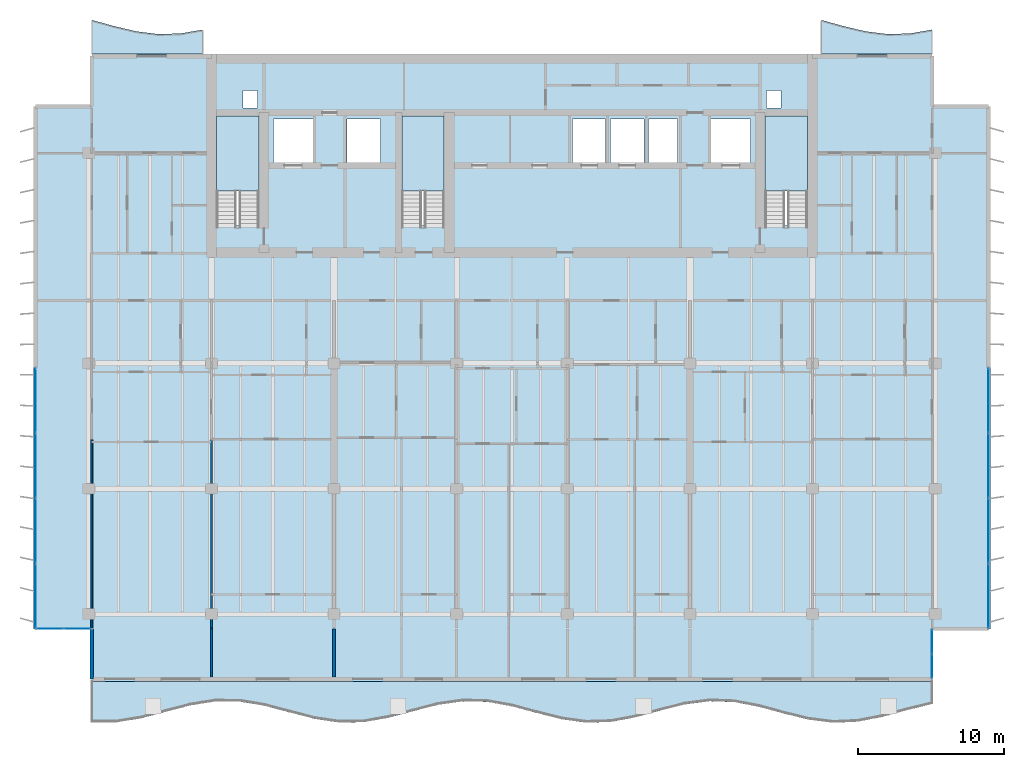
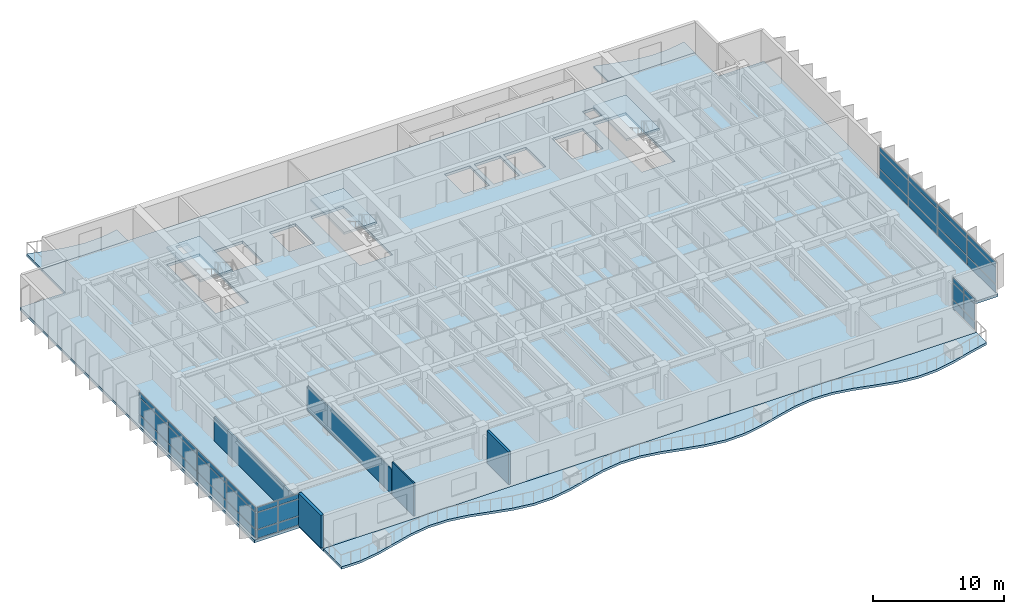
# One storey, part 7 of 19: 36 plates, 7 slabs, 5 walls, 7 elements without a shape of their own.
"""IFC4 building model written with IfcOpenShell, lengths in metres."""

from ifc_helpers import new_model, si_unit, direction, frame, frame_2d, origin, origin_2d, place, context, subcontext, project, spatial, polyline, rectangle, outline, extrude, material, layer, layer_set, type_object, element, aggregate, save


model = new_model("IFC4")

# Units and contexts
model_context = context("Model", 3, precision=1e-05, world=origin(), true_north=direction((0.0, 1.0)))
body_context = subcontext(model_context, "Body", "Model", "MODEL_VIEW")
ifc_project = project(units=[si_unit("LENGTHUNIT", "METRE"), si_unit("AREAUNIT", "SQUARE_METRE"), si_unit("VOLUMEUNIT", "CUBIC_METRE"), si_unit("PLANEANGLEUNIT", "RADIAN"), si_unit("MASSUNIT", "GRAM", prefix="KILO")], contexts=[model_context])

# Site, building, storey
site_placement = place(None, origin())
site = spatial("IfcSite", under=ifc_project, at=site_placement, CompositionType="ELEMENT")
building_placement = place(site_placement, origin())
building = spatial("IfcBuilding", under=site, at=building_placement, Name="Caelmar Bay Residences", CompositionType="ELEMENT")
storey_placement = place(building_placement, frame((0.0, 0.0, 163.800048828125)))
storey = spatial("IfcBuildingStorey", under=building, at=storey_placement, Name="L45", CompositionType="ELEMENT", Elevation=163.800048828125)

# Curtain wall, plates
ifc_material_1 = material(Name="Anodised bronze aluminium 6063-T6 and laminated glass", Category="aluminium")
ifc_layer_1 = layer(ifc_material_1, 0.179931640625)
ifc_layer_set_1 = layer_set([ifc_layer_1], Name="Anodised bronze aluminium 6063-T6 and laminated glass")
curtain_wall_type_1 = type_object("IfcCurtainWallType", Name="CW6-NTC", PredefinedType="NOTDEFINED", material=ifc_layer_set_1)
curtain_wall_1_placement = place(storey_placement, origin())
curtain_wall_1 = element("IfcCurtainWall", 1, at=curtain_wall_1_placement, inside=storey, type_object=curtain_wall_type_1, Name="CW6 curtain wall L45", PredefinedType="NOTDEFINED")
ifc_material_2 = material(Name="Bronze-tinted laminated low-E hurricane glass 28 mm", Category="glass")
ifc_layer_2 = layer(ifc_material_2, 0.028076171875)
ifc_layer_set_2 = layer_set([ifc_layer_2], Name="Bronze-tinted laminated low-E hurricane glass 28 mm")
plate_type = type_object("IfcPlateType", Name="CWP-GLZ28", PredefinedType="CURTAIN_PANEL", material=ifc_layer_set_2)
plate_1_placement = place(storey_placement, frame((7.232421875, 11.199951171875, 0.080078125), z_axis=(0.0, 0.0, 1.0), x_axis=(1.0, 0.0, 0.0)))
plate_1 = element("IfcPlate", 2, at=plate_1_placement, type_object=plate_type, Name="CW6 panel 1.1", PredefinedType="CURTAIN_PANEL", context=body_context, shape_type="SweptSolid", body=[
    extrude(rectangle(XDim=1.804931640625, YDim=0.028076171875, at=origin_2d()), origin(), (0.0, 0.0, 1.0), 0.780029296875),
])
plate_2_placement = place(storey_placement, frame((7.232421875, 11.199951171875, 0.93994140625), z_axis=(0.0, 0.0, 1.0), x_axis=(1.0, 0.0, 0.0)))
plate_2 = element("IfcPlate", 3, at=plate_2_placement, type_object=plate_type, Name="CW6 panel 1.2", PredefinedType="CURTAIN_PANEL", context=body_context, shape_type="SweptSolid", body=[
    extrude(rectangle(XDim=1.804931640625, YDim=0.028076171875, at=origin_2d()), origin(), (0.0, 0.0, 1.0), 1.52001953125),
])
plate_3_placement = place(storey_placement, frame((7.232421875, 11.199951171875, 2.5400390625), z_axis=(0.0, 0.0, 1.0), x_axis=(1.0, 0.0, 0.0)))
plate_3 = element("IfcPlate", 4, at=plate_3_placement, type_object=plate_type, Name="CW6 panel 1.3", PredefinedType="CURTAIN_PANEL", context=body_context, shape_type="SweptSolid", body=[
    extrude(rectangle(XDim=1.804931640625, YDim=0.028076171875, at=origin_2d()), origin(), (0.0, 0.0, 1.0), 0.429931640625),
])
plate_4_placement = place(storey_placement, frame((9.117431640625, 11.199951171875, 0.080078125), z_axis=(0.0, 0.0, 1.0), x_axis=(1.0, 0.0, 0.0)))
plate_4 = element("IfcPlate", 5, at=plate_4_placement, type_object=plate_type, Name="CW6 panel 2.1", PredefinedType="CURTAIN_PANEL", context=body_context, shape_type="SweptSolid", body=[
    extrude(rectangle(XDim=1.804931640625, YDim=0.028076171875, at=origin_2d()), origin(), (0.0, 0.0, 1.0), 0.780029296875),
])
plate_5_placement = place(storey_placement, frame((9.117431640625, 11.199951171875, 0.93994140625), z_axis=(0.0, 0.0, 1.0), x_axis=(1.0, 0.0, 0.0)))
plate_5 = element("IfcPlate", 6, at=plate_5_placement, type_object=plate_type, Name="CW6 panel 2.2", PredefinedType="CURTAIN_PANEL", context=body_context, shape_type="SweptSolid", body=[
    extrude(rectangle(XDim=1.804931640625, YDim=0.028076171875, at=origin_2d()), origin(), (0.0, 0.0, 1.0), 1.52001953125),
])
plate_6_placement = place(storey_placement, frame((9.117431640625, 11.199951171875, 2.5400390625), z_axis=(0.0, 0.0, 1.0), x_axis=(1.0, 0.0, 0.0)))
plate_6 = element("IfcPlate", 7, at=plate_6_placement, type_object=plate_type, Name="CW6 panel 2.3", PredefinedType="CURTAIN_PANEL", context=body_context, shape_type="SweptSolid", body=[
    extrude(rectangle(XDim=1.804931640625, YDim=0.028076171875, at=origin_2d()), origin(), (0.0, 0.0, 1.0), 0.429931640625),
])
aggregate(curtain_wall_1, [plate_1, plate_2, plate_3, plate_4, plate_5, plate_6])

curtain_wall_2_placement = place(storey_placement, origin())
curtain_wall_2 = element("IfcCurtainWall", 8, at=curtain_wall_2_placement, inside=storey, type_object=curtain_wall_type_1, Name="CW6 curtain wall L45", PredefinedType="NOTDEFINED")
plate_7_placement = place(storey_placement, frame((67.699951171875, 8.632568359375, 0.080078125), z_axis=(0.0, 0.0, 1.0), x_axis=(0.0, 1.0, 0.0)))
plate_7 = element("IfcPlate", 9, at=plate_7_placement, type_object=plate_type, Name="CW6 panel 1.1", PredefinedType="CURTAIN_PANEL", context=body_context, shape_type="SweptSolid", body=[
    extrude(rectangle(XDim=1.60498046875, YDim=0.028076171875, at=origin_2d()), origin(), (0.0, 0.0, 1.0), 0.780029296875),
])
plate_8_placement = place(storey_placement, frame((67.699951171875, 8.632568359375, 0.93994140625), z_axis=(0.0, 0.0, 1.0), x_axis=(0.0, 1.0, 0.0)))
plate_8 = element("IfcPlate", 10, at=plate_8_placement, type_object=plate_type, Name="CW6 panel 1.2", PredefinedType="CURTAIN_PANEL", context=body_context, shape_type="SweptSolid", body=[
    extrude(rectangle(XDim=1.60498046875, YDim=0.028076171875, at=origin_2d()), origin(), (0.0, 0.0, 1.0), 1.52001953125),
])
plate_9_placement = place(storey_placement, frame((67.699951171875, 8.632568359375, 2.5400390625), z_axis=(0.0, 0.0, 1.0), x_axis=(0.0, 1.0, 0.0)))
plate_9 = element("IfcPlate", 11, at=plate_9_placement, type_object=plate_type, Name="CW6 panel 1.3", PredefinedType="CURTAIN_PANEL", context=body_context, shape_type="SweptSolid", body=[
    extrude(rectangle(XDim=1.60498046875, YDim=0.028076171875, at=origin_2d()), origin(), (0.0, 0.0, 1.0), 0.429931640625),
])
plate_10_placement = place(storey_placement, frame((67.699951171875, 10.3173828125, 0.080078125), z_axis=(0.0, 0.0, 1.0), x_axis=(0.0, 1.0, 0.0)))
plate_10 = element("IfcPlate", 12, at=plate_10_placement, type_object=plate_type, Name="CW6 panel 2.1", PredefinedType="CURTAIN_PANEL", context=body_context, shape_type="SweptSolid", body=[
    extrude(rectangle(XDim=1.60498046875, YDim=0.028076171875, at=origin_2d()), origin(), (0.0, 0.0, 1.0), 0.780029296875),
])
plate_11_placement = place(storey_placement, frame((67.699951171875, 10.3173828125, 0.93994140625), z_axis=(0.0, 0.0, 1.0), x_axis=(0.0, 1.0, 0.0)))
plate_11 = element("IfcPlate", 13, at=plate_11_placement, type_object=plate_type, Name="CW6 panel 2.2", PredefinedType="CURTAIN_PANEL", context=body_context, shape_type="SweptSolid", body=[
    extrude(rectangle(XDim=1.60498046875, YDim=0.028076171875, at=origin_2d()), origin(), (0.0, 0.0, 1.0), 1.52001953125),
])
plate_12_placement = place(storey_placement, frame((67.699951171875, 10.3173828125, 2.5400390625), z_axis=(0.0, 0.0, 1.0), x_axis=(0.0, 1.0, 0.0)))
plate_12 = element("IfcPlate", 14, at=plate_12_placement, type_object=plate_type, Name="CW6 panel 2.3", PredefinedType="CURTAIN_PANEL", context=body_context, shape_type="SweptSolid", body=[
    extrude(rectangle(XDim=1.60498046875, YDim=0.028076171875, at=origin_2d()), origin(), (0.0, 0.0, 1.0), 0.429931640625),
])
aggregate(curtain_wall_2, [plate_7, plate_8, plate_9, plate_10, plate_11, plate_12])

ifc_layer_3 = layer(ifc_material_1, 0.179931640625)
ifc_layer_set_3 = layer_set([ifc_layer_3], Name="Anodised bronze aluminium 6063-T6 and laminated glass")
curtain_wall_type_2 = type_object("IfcCurtainWallType", Name="CW4-Z3", PredefinedType="NOTDEFINED", material=ifc_layer_set_3)
curtain_wall_3_placement = place(storey_placement, origin())
curtain_wall_3 = element("IfcCurtainWall", 15, at=curtain_wall_3_placement, inside=storey, type_object=curtain_wall_type_2, Name="CW4 curtain wall L45", PredefinedType="NOTDEFINED")
plate_13_placement = place(storey_placement, frame((6.25, 13.45751953125, 0.080078125), z_axis=(0.0, 0.0, 1.0), x_axis=(0.0, 1.0, 0.0)))
plate_13 = element("IfcPlate", 16, at=plate_13_placement, type_object=plate_type, Name="CW4 panel 1.1", PredefinedType="CURTAIN_PANEL", context=body_context, shape_type="SweptSolid", body=[
    extrude(rectangle(XDim=4.35498046875, YDim=0.028076171875, at=origin_2d()), origin(), (0.0, 0.0, 1.0), 0.780029296875),
])
plate_14_placement = place(storey_placement, frame((6.25, 13.45751953125, 0.93994140625), z_axis=(0.0, 0.0, 1.0), x_axis=(0.0, 1.0, 0.0)))
plate_14 = element("IfcPlate", 17, at=plate_14_placement, type_object=plate_type, Name="CW4 panel 1.2", PredefinedType="CURTAIN_PANEL", context=body_context, shape_type="SweptSolid", body=[
    extrude(rectangle(XDim=4.35498046875, YDim=0.028076171875, at=origin_2d()), origin(), (0.0, 0.0, 1.0), 1.52001953125),
])
plate_15_placement = place(storey_placement, frame((6.25, 13.45751953125, 2.5400390625), z_axis=(0.0, 0.0, 1.0), x_axis=(0.0, 1.0, 0.0)))
plate_15 = element("IfcPlate", 18, at=plate_15_placement, type_object=plate_type, Name="CW4 panel 1.3", PredefinedType="CURTAIN_PANEL", context=body_context, shape_type="SweptSolid", body=[
    extrude(rectangle(XDim=4.35498046875, YDim=0.028076171875, at=origin_2d()), origin(), (0.0, 0.0, 1.0), 0.429931640625),
])
plate_16_placement = place(storey_placement, frame((6.25, 17.91259765625, 0.080078125), z_axis=(0.0, 0.0, 1.0), x_axis=(0.0, 1.0, 0.0)))
plate_16 = element("IfcPlate", 19, at=plate_16_placement, type_object=plate_type, Name="CW4 panel 2.1", PredefinedType="CURTAIN_PANEL", context=body_context, shape_type="SweptSolid", body=[
    extrude(rectangle(XDim=4.39501953125, YDim=0.028076171875, at=origin_2d()), origin(), (0.0, 0.0, 1.0), 0.780029296875),
])
plate_17_placement = place(storey_placement, frame((6.25, 17.91259765625, 0.93994140625), z_axis=(0.0, 0.0, 1.0), x_axis=(0.0, 1.0, 0.0)))
plate_17 = element("IfcPlate", 20, at=plate_17_placement, type_object=plate_type, Name="CW4 panel 2.2", PredefinedType="CURTAIN_PANEL", context=body_context, shape_type="SweptSolid", body=[
    extrude(rectangle(XDim=4.39501953125, YDim=0.028076171875, at=origin_2d()), origin(), (0.0, 0.0, 1.0), 1.52001953125),
])
plate_18_placement = place(storey_placement, frame((6.25, 17.91259765625, 2.5400390625), z_axis=(0.0, 0.0, 1.0), x_axis=(0.0, 1.0, 0.0)))
plate_18 = element("IfcPlate", 21, at=plate_18_placement, type_object=plate_type, Name="CW4 panel 2.3", PredefinedType="CURTAIN_PANEL", context=body_context, shape_type="SweptSolid", body=[
    extrude(rectangle(XDim=4.39501953125, YDim=0.028076171875, at=origin_2d()), origin(), (0.0, 0.0, 1.0), 0.429931640625),
])
plate_19_placement = place(storey_placement, frame((6.25, 22.387451171875, 0.080078125), z_axis=(0.0, 0.0, 1.0), x_axis=(0.0, 1.0, 0.0)))
plate_19 = element("IfcPlate", 22, at=plate_19_placement, type_object=plate_type, Name="CW4 panel 3.1", PredefinedType="CURTAIN_PANEL", context=body_context, shape_type="SweptSolid", body=[
    extrude(rectangle(XDim=4.39501953125, YDim=0.028076171875, at=origin_2d()), origin(), (0.0, 0.0, 1.0), 0.780029296875),
])
plate_20_placement = place(storey_placement, frame((6.25, 22.387451171875, 0.93994140625), z_axis=(0.0, 0.0, 1.0), x_axis=(0.0, 1.0, 0.0)))
plate_20 = element("IfcPlate", 23, at=plate_20_placement, type_object=plate_type, Name="CW4 panel 3.2", PredefinedType="CURTAIN_PANEL", context=body_context, shape_type="SweptSolid", body=[
    extrude(rectangle(XDim=4.39501953125, YDim=0.028076171875, at=origin_2d()), origin(), (0.0, 0.0, 1.0), 1.52001953125),
])
plate_21_placement = place(storey_placement, frame((6.25, 22.387451171875, 2.5400390625), z_axis=(0.0, 0.0, 1.0), x_axis=(0.0, 1.0, 0.0)))
plate_21 = element("IfcPlate", 24, at=plate_21_placement, type_object=plate_type, Name="CW4 panel 3.3", PredefinedType="CURTAIN_PANEL", context=body_context, shape_type="SweptSolid", body=[
    extrude(rectangle(XDim=4.39501953125, YDim=0.028076171875, at=origin_2d()), origin(), (0.0, 0.0, 1.0), 0.429931640625),
])
plate_22_placement = place(storey_placement, frame((6.25, 26.842529296875, 0.080078125), z_axis=(0.0, 0.0, 1.0), x_axis=(0.0, 1.0, 0.0)))
plate_22 = element("IfcPlate", 25, at=plate_22_placement, type_object=plate_type, Name="CW4 panel 4.1", PredefinedType="CURTAIN_PANEL", context=body_context, shape_type="SweptSolid", body=[
    extrude(rectangle(XDim=4.35498046875, YDim=0.028076171875, at=origin_2d()), origin(), (0.0, 0.0, 1.0), 0.780029296875),
])
plate_23_placement = place(storey_placement, frame((6.25, 26.842529296875, 0.93994140625), z_axis=(0.0, 0.0, 1.0), x_axis=(0.0, 1.0, 0.0)))
plate_23 = element("IfcPlate", 26, at=plate_23_placement, type_object=plate_type, Name="CW4 panel 4.2", PredefinedType="CURTAIN_PANEL", context=body_context, shape_type="SweptSolid", body=[
    extrude(rectangle(XDim=4.35498046875, YDim=0.028076171875, at=origin_2d()), origin(), (0.0, 0.0, 1.0), 1.52001953125),
])
plate_24_placement = place(storey_placement, frame((6.25, 26.842529296875, 2.5400390625), z_axis=(0.0, 0.0, 1.0), x_axis=(0.0, 1.0, 0.0)))
plate_24 = element("IfcPlate", 27, at=plate_24_placement, type_object=plate_type, Name="CW4 panel 4.3", PredefinedType="CURTAIN_PANEL", context=body_context, shape_type="SweptSolid", body=[
    extrude(rectangle(XDim=4.35498046875, YDim=0.028076171875, at=origin_2d()), origin(), (0.0, 0.0, 1.0), 0.429931640625),
])
aggregate(curtain_wall_3, [plate_13, plate_14, plate_15, plate_16, plate_17, plate_18, plate_19, plate_20, plate_21, plate_22, plate_23, plate_24])

curtain_wall_4_placement = place(storey_placement, origin())
curtain_wall_4 = element("IfcCurtainWall", 28, at=curtain_wall_4_placement, inside=storey, type_object=curtain_wall_type_2, Name="CW4 curtain wall L45", PredefinedType="NOTDEFINED")
plate_25_placement = place(storey_placement, frame((71.550048828125, 26.842529296875, 0.080078125), z_axis=(0.0, 0.0, 1.0), x_axis=(0.0, -1.0, 0.0)))
plate_25 = element("IfcPlate", 29, at=plate_25_placement, type_object=plate_type, Name="CW4 panel 1.1", PredefinedType="CURTAIN_PANEL", context=body_context, shape_type="SweptSolid", body=[
    extrude(rectangle(XDim=4.35498046875, YDim=0.028076171875, at=origin_2d()), origin(), (0.0, 0.0, 1.0), 0.780029296875),
])
plate_26_placement = place(storey_placement, frame((71.550048828125, 26.842529296875, 0.93994140625), z_axis=(0.0, 0.0, 1.0), x_axis=(0.0, -1.0, 0.0)))
plate_26 = element("IfcPlate", 30, at=plate_26_placement, type_object=plate_type, Name="CW4 panel 1.2", PredefinedType="CURTAIN_PANEL", context=body_context, shape_type="SweptSolid", body=[
    extrude(rectangle(XDim=4.35498046875, YDim=0.028076171875, at=origin_2d()), origin(), (0.0, 0.0, 1.0), 1.52001953125),
])
plate_27_placement = place(storey_placement, frame((71.550048828125, 26.842529296875, 2.5400390625), z_axis=(0.0, 0.0, 1.0), x_axis=(0.0, -1.0, 0.0)))
plate_27 = element("IfcPlate", 31, at=plate_27_placement, type_object=plate_type, Name="CW4 panel 1.3", PredefinedType="CURTAIN_PANEL", context=body_context, shape_type="SweptSolid", body=[
    extrude(rectangle(XDim=4.35498046875, YDim=0.028076171875, at=origin_2d()), origin(), (0.0, 0.0, 1.0), 0.429931640625),
])
plate_28_placement = place(storey_placement, frame((71.550048828125, 22.387451171875, 0.080078125), z_axis=(0.0, 0.0, 1.0), x_axis=(0.0, -1.0, 0.0)))
plate_28 = element("IfcPlate", 32, at=plate_28_placement, type_object=plate_type, Name="CW4 panel 2.1", PredefinedType="CURTAIN_PANEL", context=body_context, shape_type="SweptSolid", body=[
    extrude(rectangle(XDim=4.39501953125, YDim=0.028076171875, at=origin_2d()), origin(), (0.0, 0.0, 1.0), 0.780029296875),
])
plate_29_placement = place(storey_placement, frame((71.550048828125, 22.387451171875, 0.93994140625), z_axis=(0.0, 0.0, 1.0), x_axis=(0.0, -1.0, 0.0)))
plate_29 = element("IfcPlate", 33, at=plate_29_placement, type_object=plate_type, Name="CW4 panel 2.2", PredefinedType="CURTAIN_PANEL", context=body_context, shape_type="SweptSolid", body=[
    extrude(rectangle(XDim=4.39501953125, YDim=0.028076171875, at=origin_2d()), origin(), (0.0, 0.0, 1.0), 1.52001953125),
])
plate_30_placement = place(storey_placement, frame((71.550048828125, 22.387451171875, 2.5400390625), z_axis=(0.0, 0.0, 1.0), x_axis=(0.0, -1.0, 0.0)))
plate_30 = element("IfcPlate", 34, at=plate_30_placement, type_object=plate_type, Name="CW4 panel 2.3", PredefinedType="CURTAIN_PANEL", context=body_context, shape_type="SweptSolid", body=[
    extrude(rectangle(XDim=4.39501953125, YDim=0.028076171875, at=origin_2d()), origin(), (0.0, 0.0, 1.0), 0.429931640625),
])
plate_31_placement = place(storey_placement, frame((71.550048828125, 17.91259765625, 0.080078125), z_axis=(0.0, 0.0, 1.0), x_axis=(0.0, -1.0, 0.0)))
plate_31 = element("IfcPlate", 35, at=plate_31_placement, type_object=plate_type, Name="CW4 panel 3.1", PredefinedType="CURTAIN_PANEL", context=body_context, shape_type="SweptSolid", body=[
    extrude(rectangle(XDim=4.39501953125, YDim=0.028076171875, at=origin_2d()), origin(), (0.0, 0.0, 1.0), 0.780029296875),
])
plate_32_placement = place(storey_placement, frame((71.550048828125, 17.91259765625, 0.93994140625), z_axis=(0.0, 0.0, 1.0), x_axis=(0.0, -1.0, 0.0)))
plate_32 = element("IfcPlate", 36, at=plate_32_placement, type_object=plate_type, Name="CW4 panel 3.2", PredefinedType="CURTAIN_PANEL", context=body_context, shape_type="SweptSolid", body=[
    extrude(rectangle(XDim=4.39501953125, YDim=0.028076171875, at=origin_2d()), origin(), (0.0, 0.0, 1.0), 1.52001953125),
])
plate_33_placement = place(storey_placement, frame((71.550048828125, 17.91259765625, 2.5400390625), z_axis=(0.0, 0.0, 1.0), x_axis=(0.0, -1.0, 0.0)))
plate_33 = element("IfcPlate", 37, at=plate_33_placement, type_object=plate_type, Name="CW4 panel 3.3", PredefinedType="CURTAIN_PANEL", context=body_context, shape_type="SweptSolid", body=[
    extrude(rectangle(XDim=4.39501953125, YDim=0.028076171875, at=origin_2d()), origin(), (0.0, 0.0, 1.0), 0.429931640625),
])
plate_34_placement = place(storey_placement, frame((71.550048828125, 13.45751953125, 0.080078125), z_axis=(0.0, 0.0, 1.0), x_axis=(0.0, -1.0, 0.0)))
plate_34 = element("IfcPlate", 38, at=plate_34_placement, type_object=plate_type, Name="CW4 panel 4.1", PredefinedType="CURTAIN_PANEL", context=body_context, shape_type="SweptSolid", body=[
    extrude(rectangle(XDim=4.35498046875, YDim=0.028076171875, at=origin_2d()), origin(), (0.0, 0.0, 1.0), 0.780029296875),
])
plate_35_placement = place(storey_placement, frame((71.550048828125, 13.45751953125, 0.93994140625), z_axis=(0.0, 0.0, 1.0), x_axis=(0.0, -1.0, 0.0)))
plate_35 = element("IfcPlate", 39, at=plate_35_placement, type_object=plate_type, Name="CW4 panel 4.2", PredefinedType="CURTAIN_PANEL", context=body_context, shape_type="SweptSolid", body=[
    extrude(rectangle(XDim=4.35498046875, YDim=0.028076171875, at=origin_2d()), origin(), (0.0, 0.0, 1.0), 1.52001953125),
])
plate_36_placement = place(storey_placement, frame((71.550048828125, 13.45751953125, 2.5400390625), z_axis=(0.0, 0.0, 1.0), x_axis=(0.0, -1.0, 0.0)))
plate_36 = element("IfcPlate", 40, at=plate_36_placement, type_object=plate_type, Name="CW4 panel 4.3", PredefinedType="CURTAIN_PANEL", context=body_context, shape_type="SweptSolid", body=[
    extrude(rectangle(XDim=4.35498046875, YDim=0.028076171875, at=origin_2d()), origin(), (0.0, 0.0, 1.0), 0.429931640625),
])
aggregate(curtain_wall_4, [plate_25, plate_26, plate_27, plate_28, plate_29, plate_30, plate_31, plate_32, plate_33, plate_34, plate_35, plate_36])

# Slabs
ifc_material_3 = material(Name="Concrete f'c 40 MPa (6,000 psi)", Category="concrete")
ifc_layer_4 = layer(ifc_material_3, 0.219970703125)
ifc_layer_set_4 = layer_set([ifc_layer_4], Name="Concrete f'c 40 MPa (6,000 psi)")
slab_type_1 = type_object("IfcSlabType", Name="SLB-BAL-220", PredefinedType="FLOOR", material=ifc_layer_set_4)
slab_1_placement = place(storey_placement, frame((0.0, 0.0, -0.219970703125)))
element("IfcSlab", 41, at=slab_1_placement, inside=storey, type_object=slab_type_1, Name="L45 Sinusoidal Tree-Balcony Slab south", PredefinedType="FLOOR", context=body_context, shape_type="SweptSolid", body=[
    extrude(outline(polyline([(10.10009765625, 4.78662109375), (11.794189453125, 4.787841796875), (13.48828125, 5.065673828125), (15.182373046875, 5.511962890625), (16.87646484375, 5.95361328125), (18.570556640625, 6.21923828125), (20.2646484375, 6.20556640625), (21.958740234375, 5.918212890625), (23.65283203125, 5.46826171875), (25.34716796875, 5.03076171875), (27.041259765625, 4.775390625), (28.7353515625, 4.801513671875), (30.429443359375, 5.098388671875), (32.12353515625, 5.551513671875), (33.817626953125, 5.984375), (35.51171875, 6.2294921875), (37.205810546875, 6.191162109375), (38.89990234375, 5.884765625), (40.593994140625, 5.4287109375), (42.2880859375, 5.00048828125), (43.982421875, 4.76611328125), (45.676513671875, 4.816650390625), (47.37060546875, 5.132568359375), (49.064697265625, 5.5908203125), (50.7587890625, 6.013916015625), (52.452880859375, 6.237548828125), (54.147216796875, 6.1748046875), (55.84130859375, 5.85009765625), (57.535400390625, 5.389404296875), (59.2294921875, 4.9716796875), (60.923583984375, 4.759033203125), (62.61767578125, 4.833984375), (64.311767578125, 5.16748046875), (66.005859375, 5.6298828125), (67.699951171875, 6.0419921875), (67.699951171875, 7.60009765625), (10.10009765625, 7.60009765625), (10.10009765625, 4.78662109375)])), origin(), (0.0, 0.0, 1.0), 0.219970703125),
])
slab_2_placement = place(storey_placement, frame((0.0, 0.0, -0.219970703125)))
element("IfcSlab", 42, at=slab_2_placement, inside=storey, type_object=slab_type_1, Name="L45 Sinusoidal Tree-Balcony Slab north_west", PredefinedType="FLOOR", context=body_context, shape_type="SweptSolid", body=[
    extrude(outline(polyline([(10.10009765625, 50.60009765625), (17.699951171875, 50.60009765625), (17.699951171875, 52.268310546875), (16.179931640625, 52.006103515625), (14.659912109375, 51.962158203125), (13.139892578125, 52.150146484375), (11.6201171875, 52.51123046875), (10.10009765625, 52.931884765625), (10.10009765625, 50.60009765625)])), origin(), (0.0, 0.0, 1.0), 0.219970703125),
])
slab_3_placement = place(storey_placement, frame((0.0, 0.0, -0.219970703125)))
element("IfcSlab", 43, at=slab_3_placement, inside=storey, type_object=slab_type_1, Name="L45 Sinusoidal Tree-Balcony Slab north_east", PredefinedType="FLOOR", context=body_context, shape_type="SweptSolid", body=[
    extrude(outline(polyline([(60.10009765625, 50.60009765625), (67.699951171875, 50.60009765625), (67.699951171875, 52.268310546875), (66.179931640625, 52.006103515625), (64.659912109375, 51.962158203125), (63.139892578125, 52.150146484375), (61.6201171875, 52.51123046875), (60.10009765625, 52.931884765625), (60.10009765625, 50.60009765625)])), origin(), (0.0, 0.0, 1.0), 0.219970703125),
])

# Stair, slab
stair_type = type_object("IfcStairType", Name="ST-TYP-165", PredefinedType="HALF_TURN_STAIR", material=ifc_material_3)
stair_1_placement = place(storey_placement, origin())
stair_1 = element("IfcStair", 44, at=stair_1_placement, inside=storey, type_object=stair_type, Name="L45 West Smokeproof Exit Stair ST1", PredefinedType="HALF_TURN_STAIR")
ifc_layer_5 = layer(ifc_material_3, 0.199951171875)
ifc_layer_set_5 = layer_set([ifc_layer_5], Name="Concrete f'c 40 MPa (6,000 psi)")
slab_type_2 = type_object("IfcSlabType", Name="SLB-LND-200", PredefinedType="LANDING", material=ifc_layer_set_5)
slab_4_placement = place(storey_placement, frame((0.0, 0.0, 1.449951171875)))
slab_4 = element("IfcSlab", 45, at=slab_4_placement, type_object=slab_type_2, Name="ST1 landing 1", PredefinedType="LANDING", context=body_context, shape_type="SweptSolid", body=[
    extrude(outline(polyline([(21.550048828125, 41.219970703125), (21.550048828125, 46.35009765625), (18.64990234375, 46.35009765625), (18.64990234375, 41.219970703125), (21.550048828125, 41.219970703125)])), origin(), (0.0, 0.0, 1.0), 0.199951171875),
])
aggregate(stair_1, [slab_4])

stair_2_placement = place(storey_placement, origin())
stair_2 = element("IfcStair", 46, at=stair_2_placement, inside=storey, type_object=stair_type, Name="L45 East Smokeproof Exit Stair ST2", PredefinedType="HALF_TURN_STAIR")
slab_5_placement = place(storey_placement, frame((0.0, 0.0, 1.449951171875)))
slab_5 = element("IfcSlab", 47, at=slab_5_placement, type_object=slab_type_2, Name="ST2 landing 1", PredefinedType="LANDING", context=body_context, shape_type="SweptSolid", body=[
    extrude(outline(polyline([(59.14990234375, 41.219970703125), (59.14990234375, 46.35009765625), (56.25, 46.35009765625), (56.25, 41.219970703125), (59.14990234375, 41.219970703125)])), origin(), (0.0, 0.0, 1.0), 0.199951171875),
])
aggregate(stair_2, [slab_5])

stair_3_placement = place(storey_placement, origin())
stair_3 = element("IfcStair", 48, at=stair_3_placement, inside=storey, type_object=stair_type, Name="L45 Central Smokeproof Exit Stair ST3", PredefinedType="HALF_TURN_STAIR")
slab_6_placement = place(storey_placement, frame((0.0, 0.0, 1.449951171875)))
slab_6 = element("IfcSlab", 49, at=slab_6_placement, type_object=slab_type_2, Name="ST3 landing 1", PredefinedType="LANDING", context=body_context, shape_type="SweptSolid", body=[
    extrude(outline(polyline([(34.25, 41.219970703125), (34.25, 46.35009765625), (31.35009765625, 46.35009765625), (31.35009765625, 41.219970703125), (34.25, 41.219970703125)])), origin(), (0.0, 0.0, 1.0), 0.199951171875),
])
aggregate(stair_3, [slab_6])

# Slab
ifc_layer_6 = layer(ifc_material_3, 0.25)
ifc_layer_set_6 = layer_set([ifc_layer_6], Name="Concrete f'c 40 MPa (6,000 psi)")
slab_type_3 = type_object("IfcSlabType", Name="SLB-RES-250", PredefinedType="FLOOR", material=ifc_layer_set_6)
slab_7_placement = place(storey_placement, frame((0.0, 0.0, -0.25)))
element("IfcSlab", 50, at=slab_7_placement, inside=storey, type_object=slab_type_3, Name="L45 Structural Floor Slab", PredefinedType="FLOOR", context=body_context, shape_type="SweptSolid", body=[
    extrude(outline(polyline([(10.10009765625, 7.60009765625), (67.699951171875, 7.60009765625), (67.699951171875, 11.199951171875), (71.699951171875, 11.199951171875), (71.699951171875, 47.0), (67.699951171875, 47.0), (67.699951171875, 50.60009765625), (10.10009765625, 50.60009765625), (10.10009765625, 47.0), (6.10009765625, 47.0), (6.10009765625, 11.199951171875), (10.10009765625, 11.199951171875), (10.10009765625, 7.60009765625)]), holes=[polyline([(18.64990234375, 38.85009765625), (21.550048828125, 38.85009765625), (21.550048828125, 46.35009765625), (18.64990234375, 46.35009765625), (18.64990234375, 38.85009765625)]), polyline([(56.25, 38.85009765625), (59.14990234375, 38.85009765625), (59.14990234375, 46.35009765625), (56.25, 46.35009765625), (56.25, 38.85009765625)]), polyline([(31.35009765625, 38.85009765625), (34.25, 38.85009765625), (34.25, 46.35009765625), (31.35009765625, 46.35009765625), (31.35009765625, 38.85009765625)]), polyline([(22.550048828125, 43.050048828125), (25.25, 43.050048828125), (25.25, 46.14990234375), (22.550048828125, 46.14990234375), (22.550048828125, 43.050048828125)]), polyline([(52.550048828125, 43.050048828125), (55.25, 43.050048828125), (55.25, 46.14990234375), (52.550048828125, 46.14990234375), (52.550048828125, 43.050048828125)]), polyline([(43.050048828125, 43.14990234375), (45.300048828125, 43.14990234375), (45.300048828125, 46.14990234375), (43.050048828125, 46.14990234375), (43.050048828125, 43.14990234375)]), polyline([(45.64990234375, 43.14990234375), (47.949951171875, 43.14990234375), (47.949951171875, 46.14990234375), (45.64990234375, 46.14990234375), (45.64990234375, 43.14990234375)]), polyline([(48.25, 43.14990234375), (50.25, 43.14990234375), (50.25, 46.14990234375), (48.25, 46.14990234375), (48.25, 43.14990234375)]), polyline([(27.60009765625, 43.14990234375), (29.89990234375, 43.14990234375), (29.89990234375, 46.14990234375), (27.60009765625, 46.14990234375), (27.60009765625, 43.14990234375)]), polyline([(20.449951171875, 46.89990234375), (21.449951171875, 46.89990234375), (21.449951171875, 48.10009765625), (20.449951171875, 48.10009765625), (20.449951171875, 46.89990234375)]), polyline([(56.35009765625, 46.89990234375), (57.35009765625, 46.89990234375), (57.35009765625, 48.10009765625), (56.35009765625, 48.10009765625), (56.35009765625, 46.89990234375)])]), origin(), (0.0, 0.0, 1.0), 0.25),
])

# Walls
ifc_material_4 = material(Name="Precast concrete f'c 40 MPa (6,000 psi)", Category="concrete")
ifc_layer_7 = layer(ifc_material_4, 0.25)
ifc_layer_set_7 = layer_set([ifc_layer_7], Name="Precast concrete f'c 40 MPa (6,000 psi)")
wall_type_1 = type_object("IfcWallType", Name="W-EXT-250", PredefinedType="ELEMENTEDWALL", material=ifc_layer_set_7)
wall_1_placement = place(storey_placement, frame((10.10009765625, 11.199951171875, 0.0), z_axis=(0.0, 0.0, 1.0), x_axis=(0.0, -1.0, 0.0)))
element("IfcWall", 51, at=wall_1_placement, inside=storey, type_object=wall_type_1, Name="L45 SW Notch Return Wall", PredefinedType="ELEMENTEDWALL", context=body_context, shape_type="SweptSolid", body=[
    extrude(rectangle(XDim=3.449951171875, YDim=0.25, at=frame_2d((1.72509765625, 0.0))), origin(), (0.0, 0.0, 1.0), 3.050048828125),
])
ifc_material_5 = material(Name="Acoustic metal-stud gypsum partition 120 mm")
ifc_layer_8 = layer(ifc_material_5, 0.1201171875)
ifc_layer_set_8 = layer_set([ifc_layer_8], Name="Acoustic metal-stud gypsum partition 120 mm")
wall_type_2 = type_object("IfcWallType", Name="W-PRT-120", PredefinedType="PARTITIONING", material=ifc_layer_set_8)
wall_2_placement = place(storey_placement, frame((10.10009765625, 11.284912109375, 0.0), z_axis=(0.0, 0.0, 1.0), x_axis=(0.0, 1.0, 0.0)))
element("IfcWall", 52, at=wall_2_placement, inside=storey, type_object=wall_type_2, Name="L45 Partition Wall V001", PredefinedType="PARTITIONING", context=body_context, shape_type="SweptSolid", body=[
    extrude(rectangle(XDim=12.885009765625, YDim=0.1201171875, at=frame_2d((6.4423828125, 0.0))), origin(), (0.0, 0.0, 1.0), 2.262939453125),
])
wall_3_placement = place(storey_placement, frame((18.300048828125, 7.89501953125, 0.0), z_axis=(0.0, 0.0, 1.0), x_axis=(0.0, 1.0, 0.0)))
element("IfcWall", 53, at=wall_3_placement, inside=storey, type_object=wall_type_2, Name="L45 Partition Wall V013", PredefinedType="PARTITIONING", context=body_context, shape_type="SweptSolid", body=[
    extrude(rectangle(XDim=3.304931640625, YDim=0.1201171875, at=frame_2d((1.65234375, 0.0))), origin(), (0.0, 0.0, 1.0), 3.050048828125),
])
wall_4_placement = place(storey_placement, frame((18.300048828125, 11.239990234375, 0.0), z_axis=(0.0, 0.0, 1.0), x_axis=(0.0, 1.0, 0.0)))
element("IfcWall", 54, at=wall_4_placement, inside=storey, type_object=wall_type_2, Name="L45 Partition Wall V014", PredefinedType="PARTITIONING", context=body_context, shape_type="SweptSolid", body=[
    extrude(rectangle(XDim=12.929931640625, YDim=0.1201171875, at=frame_2d((6.46484375, 0.0))), origin(), (0.0, 0.0, 1.0), 2.262939453125),
])
ifc_material_6 = material(Name="Acoustic twin-stud fire-rated inter-tenancy partition 200 mm")
ifc_layer_9 = layer(ifc_material_6, 0.199951171875)
ifc_layer_set_9 = layer_set([ifc_layer_9], Name="Acoustic twin-stud fire-rated inter-tenancy partition 200 mm")
wall_type_3 = type_object("IfcWallType", Name="W-PTY-200", PredefinedType="PARTITIONING", material=ifc_layer_set_9)
wall_5_placement = place(storey_placement, frame((26.699951171875, 7.89501953125, 0.0), z_axis=(0.0, 0.0, 1.0), x_axis=(0.0, 1.0, 0.0)))
element("IfcWall", 55, at=wall_5_placement, inside=storey, type_object=wall_type_3, Name="L45 Partition Wall V023", PredefinedType="PARTITIONING", context=body_context, shape_type="SweptSolid", body=[
    extrude(rectangle(XDim=3.304931640625, YDim=0.199951171875, at=frame_2d((1.65234375, 0.0))), origin(), (0.0, 0.0, 1.0), 3.050048828125),
])

save(model, "model.ifc")
